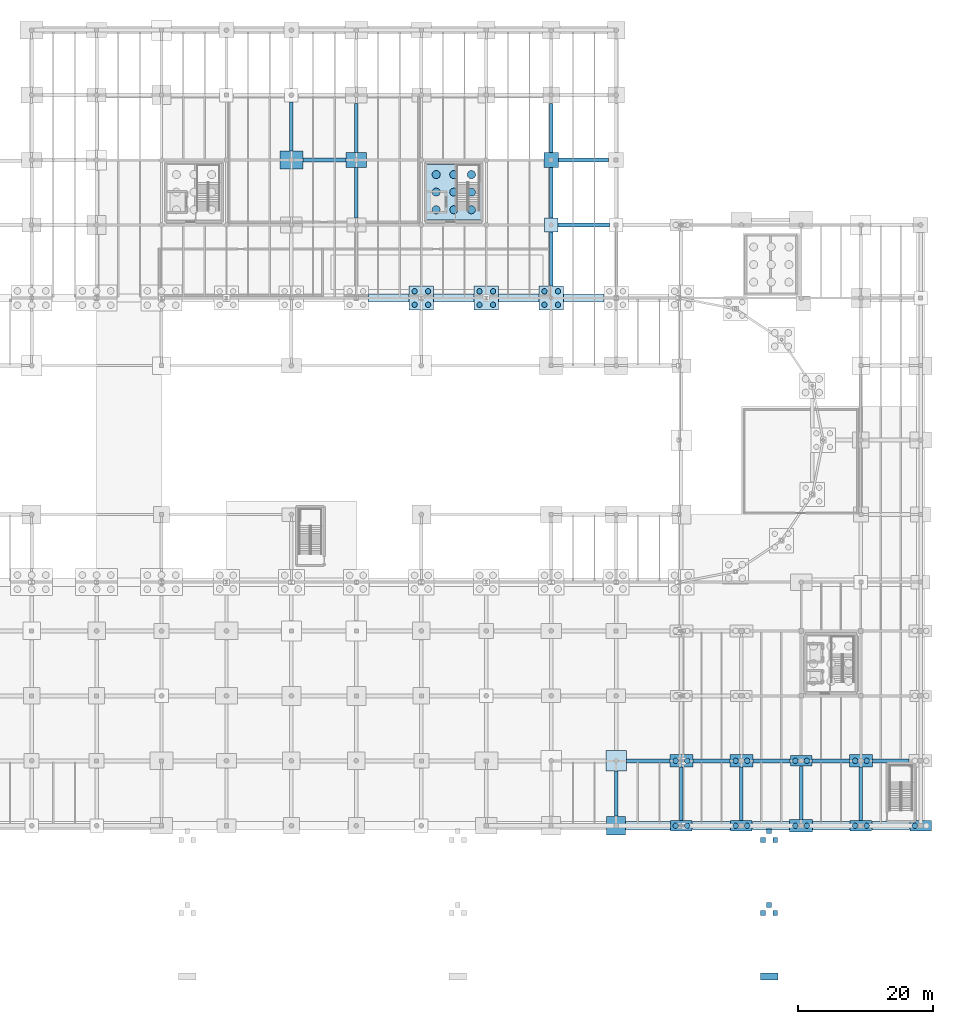
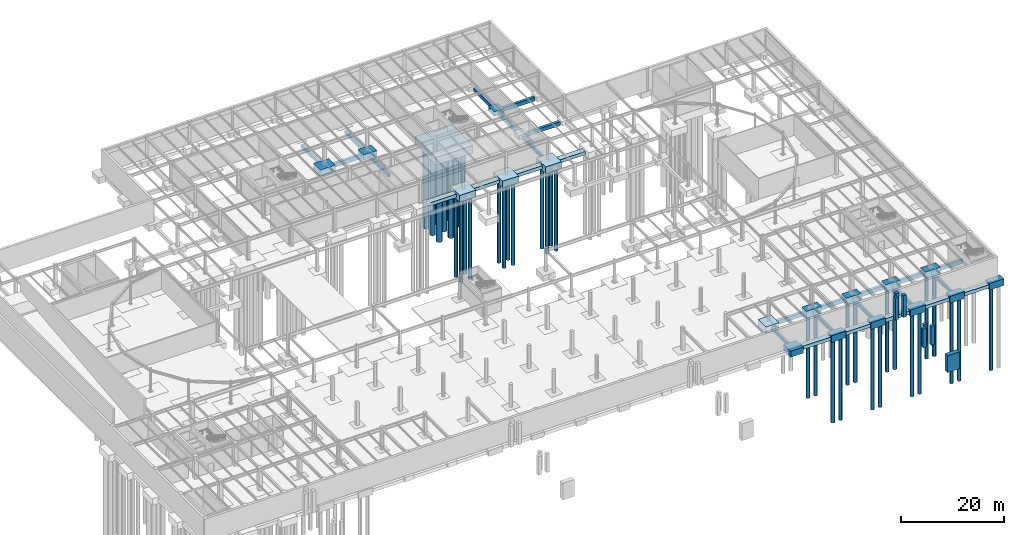
# One storey, part 7 of 50: 54 footings, 38 piles.
"""IFC4 building model written with IfcOpenShell, lengths in metres."""

from ifc_helpers import new_model, si_unit, direction, frame, origin, origin_2d, place, context, subcontext, project, spatial, polyline, rectangle, circle, outline, extrude, material, material_profile, profile_set, type_object, element, save


model = new_model("IFC4")

# Units and contexts
model_context = context("Model", 3, precision=1e-05, world=origin(), true_north=direction((0.0, 1.0)))
body_context = subcontext(model_context, "Body", "Model", "MODEL_VIEW")
ifc_project = project(units=[si_unit("LENGTHUNIT", "METRE"), si_unit("AREAUNIT", "SQUARE_METRE"), si_unit("VOLUMEUNIT", "CUBIC_METRE"), si_unit("PLANEANGLEUNIT", "RADIAN"), si_unit("MASSUNIT", "GRAM", prefix="KILO")], contexts=[model_context])

# Site, building, storey
site_placement = place(None, origin())
site = spatial("IfcSite", under=ifc_project, at=site_placement, CompositionType="ELEMENT")
building_placement = place(site_placement, origin())
building = spatial("IfcBuilding", under=site, at=building_placement, Name="Yeouljin Market Hall", CompositionType="ELEMENT")
storey_placement = place(building_placement, frame((0.0, 0.0, -5.39990234375)))
storey = spatial("IfcBuildingStorey", under=building, at=storey_placement, Name="B1", CompositionType="ELEMENT", Elevation=-5.39990234375)

# Footings
ifc_material_1 = material(Name="Concrete C35/45", Category="concrete")
ifc_material_profile_1 = material_profile(ifc_material_1, rectangle(XDim=0.5, YDim=0.800048828125, at=origin_2d()), Name="RC-500x800")
ifc_profile_set_1 = profile_set([ifc_material_profile_1], Name="Concrete C35/45")
footing_type_1 = type_object("IfcFootingType", Name="FootingBeam_500x800", PredefinedType="FOOTING_BEAM", material=ifc_profile_set_1)
footing_1_placement = place(storey_placement, frame((83.39990234375, 99.7099609375, -0.800048828125), z_axis=(0.0, 1.0, 0.0), x_axis=(-1.0, 0.0, 0.0)))
element("IfcFooting", 1, at=footing_1_placement, inside=storey, type_object=footing_type_1, Name="Foundation tie beam Y-201", PredefinedType="FOOTING_BEAM", context=body_context, shape_type="SweptSolid", body=[
    extrude(rectangle(XDim=0.5, YDim=0.800048828125, at=origin_2d()), origin(), (0.0, 0.0, 1.0), 7.280029296875),
])
footing_2_placement = place(storey_placement, frame((93.0, 89.81005859375, -0.800048828125), z_axis=(0.0, 1.0, 0.0), x_axis=(-1.0, 0.0, 0.0)))
element("IfcFooting", 2, at=footing_2_placement, inside=storey, type_object=footing_type_1, Name="Foundation tie beam Y-208", PredefinedType="FOOTING_BEAM", context=body_context, shape_type="SweptSolid", body=[
    extrude(rectangle(XDim=0.5, YDim=0.800048828125, at=origin_2d()), origin(), (0.0, 0.0, 1.0), 7.47998046875),
])
footing_3_placement = place(storey_placement, frame((93.0, 99.510009765625, -0.800048828125), z_axis=(0.0, 1.0, 0.0), x_axis=(-1.0, 0.0, 0.0)))
element("IfcFooting", 3, at=footing_3_placement, inside=storey, type_object=footing_type_1, Name="Foundation tie beam Y-209", PredefinedType="FOOTING_BEAM", context=body_context, shape_type="SweptSolid", body=[
    extrude(rectangle(XDim=0.5, YDim=0.800048828125, at=origin_2d()), origin(), (0.0, 0.0, 1.0), 7.280029296875),
])
footing_4_placement = place(storey_placement, frame((121.800048828125, 79.81005859375, -0.800048828125), z_axis=(0.0, 1.0, 0.0), x_axis=(-1.0, 0.0, 0.0)))
element("IfcFooting", 4, at=footing_4_placement, inside=storey, type_object=footing_type_1, Name="Foundation tie beam Y-229", PredefinedType="FOOTING_BEAM", context=body_context, shape_type="SweptSolid", body=[
    extrude(rectangle(XDim=0.5, YDim=0.800048828125, at=origin_2d()), origin(), (0.0, 0.0, 1.0), 7.97998046875),
])
footing_5_placement = place(storey_placement, frame((121.800048828125, 89.81005859375, -0.800048828125), z_axis=(0.0, 1.0, 0.0), x_axis=(-1.0, 0.0, 0.0)))
element("IfcFooting", 5, at=footing_5_placement, inside=storey, type_object=footing_type_1, Name="Foundation tie beam Y-230", PredefinedType="FOOTING_BEAM", context=body_context, shape_type="SweptSolid", body=[
    extrude(rectangle(XDim=0.5, YDim=0.800048828125, at=origin_2d()), origin(), (0.0, 0.0, 1.0), 7.47998046875),
])
footing_6_placement = place(storey_placement, frame((121.800048828125, 99.510009765625, -0.800048828125), z_axis=(0.0, 1.0, 0.0), x_axis=(-1.0, 0.0, 0.0)))
element("IfcFooting", 6, at=footing_6_placement, inside=storey, type_object=footing_type_1, Name="Foundation tie beam Y-231", PredefinedType="FOOTING_BEAM", context=body_context, shape_type="SweptSolid", body=[
    extrude(rectangle(XDim=0.5, YDim=0.800048828125, at=origin_2d()), origin(), (0.0, 0.0, 1.0), 7.280029296875),
])
footing_7_placement = place(storey_placement, frame((131.39990234375, 1.409912109375, -0.800048828125), z_axis=(0.0, 1.0, 0.0), x_axis=(-1.0, 0.0, 0.0)))
element("IfcFooting", 7, at=footing_7_placement, inside=storey, type_object=footing_type_1, Name="Foundation tie beam Y-233", PredefinedType="FOOTING_BEAM", context=body_context, shape_type="SweptSolid", body=[
    extrude(rectangle(XDim=0.5, YDim=0.800048828125, at=origin_2d()), origin(), (0.0, 0.0, 1.0), 6.68017578125),
])
for number, where, z_axis, x_axis, name in (
    (8, (141.0400390625, 0.81005859375, -0.800048828125), (0.0, 1.0, 0.0), (-1.0, 0.0, 0.0), "Foundation tie beam Y-243"),
    (9, (149.909912109375, 0.81005859375, -0.800048828125), (0.0, 1.0, 0.0), (-1.0, 0.0, 0.0), "Foundation tie beam Y-252"),
):
    element("IfcFooting", number, at=place(storey_placement, frame(where, z_axis=z_axis, x_axis=x_axis)), inside=storey, type_object=footing_type_1, Name=name, PredefinedType="FOOTING_BEAM", context=body_context, shape_type="SweptSolid", body=[
        extrude(rectangle(XDim=0.5, YDim=0.800048828125, at=origin_2d()), origin(), (0.0, 0.0, 1.0), 7.8798828125),
    ])
footing_8_placement = place(storey_placement, frame((158.739990234375, 0.909912109375, -0.800048828125), z_axis=(0.0, 1.0, 0.0), x_axis=(-1.0, 0.0, 0.0)))
element("IfcFooting", 10, at=footing_8_placement, inside=storey, type_object=footing_type_1, Name="Foundation tie beam Y-255", PredefinedType="FOOTING_BEAM", context=body_context, shape_type="SweptSolid", body=[
    extrude(rectangle(XDim=0.5, YDim=0.800048828125, at=origin_2d()), origin(), (0.0, 0.0, 1.0), 7.880126953125),
])
footing_9_placement = place(storey_placement, frame((167.570068359375, 0.81005859375, -0.800048828125), z_axis=(0.0, 1.0, 0.0), x_axis=(-1.0, 0.0, 0.0)))
element("IfcFooting", 11, at=footing_9_placement, inside=storey, type_object=footing_type_1, Name="Foundation tie beam Y-258", PredefinedType="FOOTING_BEAM", context=body_context, shape_type="SweptSolid", body=[
    extrude(rectangle(XDim=0.5, YDim=0.800048828125, at=origin_2d()), origin(), (0.0, 0.0, 1.0), 7.8798828125),
])
ifc_material_2 = material(Name="Concrete C35/45", Category="concrete")
ifc_material_profile_2 = material_profile(ifc_material_2, rectangle(XDim=0.60009765625, YDim=0.89990234375, at=origin_2d()), Name="RC-600x900")
ifc_profile_set_2 = profile_set([ifc_material_profile_2], Name="Concrete C35/45")
footing_type_2 = type_object("IfcFootingType", Name="FootingBeam_600x900", PredefinedType="FOOTING_BEAM", material=ifc_profile_set_2)
footing_10_placement = place(storey_placement, frame((132.909912109375, 9.60009765625, -0.85009765625), z_axis=(1.0, 0.0, 0.0), x_axis=(0.0, 1.0, 0.0)))
element("IfcFooting", 12, at=footing_10_placement, inside=storey, type_object=footing_type_2, Name="Foundation tie beam X-034", PredefinedType="FOOTING_BEAM", context=body_context, shape_type="SweptSolid", body=[
    extrude(rectangle(XDim=0.60009765625, YDim=0.89990234375, at=origin_2d()), origin(), (0.0, 0.0, 1.0), 6.420166015625),
])
footing_11_placement = place(storey_placement, frame((142.75, 9.60009765625, -0.85009765625), z_axis=(1.0, 0.0, 0.0), x_axis=(0.0, 1.0, 0.0)))
element("IfcFooting", 13, at=footing_11_placement, inside=storey, type_object=footing_type_2, Name="Foundation tie beam X-035", PredefinedType="FOOTING_BEAM", context=body_context, shape_type="SweptSolid", body=[
    extrude(rectangle(XDim=0.60009765625, YDim=0.89990234375, at=origin_2d()), origin(), (0.0, 0.0, 1.0), 5.449951171875),
])
footing_12_placement = place(storey_placement, frame((151.6201171875, 9.60009765625, -0.85009765625), z_axis=(1.0, 0.0, 0.0), x_axis=(0.0, 1.0, 0.0)))
element("IfcFooting", 14, at=footing_12_placement, inside=storey, type_object=footing_type_2, Name="Foundation tie beam X-036", PredefinedType="FOOTING_BEAM", context=body_context, shape_type="SweptSolid", body=[
    extrude(rectangle(XDim=0.60009765625, YDim=0.89990234375, at=origin_2d()), origin(), (0.0, 0.0, 1.0), 5.509765625),
])
footing_13_placement = place(storey_placement, frame((160.35009765625, 9.60009765625, -0.85009765625), z_axis=(1.0, 0.0, 0.0), x_axis=(0.0, 1.0, 0.0)))
element("IfcFooting", 15, at=footing_13_placement, inside=storey, type_object=footing_type_2, Name="Foundation tie beam X-037", PredefinedType="FOOTING_BEAM", context=body_context, shape_type="SweptSolid", body=[
    extrude(rectangle(XDim=0.60009765625, YDim=0.89990234375, at=origin_2d()), origin(), (0.0, 0.0, 1.0), 5.510009765625),
])
footing_14_placement = place(storey_placement, frame((169.280029296875, 9.60009765625, -0.85009765625), z_axis=(1.0, 0.0, 0.0), x_axis=(0.0, 1.0, 0.0)))
element("IfcFooting", 16, at=footing_14_placement, inside=storey, type_object=footing_type_2, Name="Foundation tie beam X-038", PredefinedType="FOOTING_BEAM", context=body_context, shape_type="SweptSolid", body=[
    extrude(rectangle(XDim=0.60009765625, YDim=0.89990234375, at=origin_2d()), origin(), (0.0, 0.0, 1.0), 5.409912109375),
])
footing_15_placement = place(storey_placement, frame((122.81005859375, 88.800048828125, -0.85009765625), z_axis=(1.0, 0.0, 0.0), x_axis=(0.0, 1.0, 0.0)))
element("IfcFooting", 17, at=footing_15_placement, inside=storey, type_object=footing_type_2, Name="Foundation tie beam X-109", PredefinedType="FOOTING_BEAM", context=body_context, shape_type="SweptSolid", body=[
    extrude(rectangle(XDim=0.60009765625, YDim=0.89990234375, at=origin_2d()), origin(), (0.0, 0.0, 1.0), 7.579833984375),
])
footing_16_placement = place(storey_placement, frame((85.110107421875, 98.39990234375, -0.85009765625), z_axis=(1.0, 0.0, 0.0), x_axis=(0.0, 1.0, 0.0)))
element("IfcFooting", 18, at=footing_16_placement, inside=storey, type_object=footing_type_2, Name="Foundation tie beam X-116", PredefinedType="FOOTING_BEAM", context=body_context, shape_type="SweptSolid", body=[
    extrude(rectangle(XDim=0.60009765625, YDim=0.89990234375, at=origin_2d()), origin(), (0.0, 0.0, 1.0), 6.3798828125),
])
footing_17_placement = place(storey_placement, frame((122.909912109375, 98.39990234375, -0.85009765625), z_axis=(1.0, 0.0, 0.0), x_axis=(0.0, 1.0, 0.0)))
element("IfcFooting", 19, at=footing_17_placement, inside=storey, type_object=footing_type_2, Name="Foundation tie beam X-117", PredefinedType="FOOTING_BEAM", context=body_context, shape_type="SweptSolid", body=[
    extrude(rectangle(XDim=0.60009765625, YDim=0.89990234375, at=origin_2d()), origin(), (0.0, 0.0, 1.0), 7.380126953125),
])
ifc_material_3 = material(Name="Concrete C35/45", Category="concrete")
footing_type_3 = type_object("IfcFootingType", Name="PadFooting_2000x2000x1000", PredefinedType="PAD_FOOTING", material=ifc_material_3)
footing_18_placement = place(storey_placement, frame((0.0, 0.0, -1.0)))
element("IfcFooting", 20, at=footing_18_placement, inside=storey, type_object=footing_type_3, Name="Pile cap FPAD-081", PredefinedType="PAD_FOOTING", context=body_context, shape_type="SweptSolid", body=[
    extrude(outline(polyline([(120.800048828125, 87.800048828125), (122.800048828125, 87.800048828125), (122.800048828125, 89.800048828125), (120.800048828125, 89.800048828125), (120.800048828125, 87.800048828125)])), origin(), (0.0, 0.0, 1.0), 1.0),
])
ifc_material_4 = material(Name="Concrete C35/45", Category="concrete")
footing_type_4 = type_object("IfcFootingType", Name="PadFooting_2200x2200x1100", PredefinedType="PAD_FOOTING", material=ifc_material_4)
footing_19_placement = place(storey_placement, frame((0.0, 0.0, -1.10009765625)))
element("IfcFooting", 21, at=footing_19_placement, inside=storey, type_object=footing_type_4, Name="Pile cap FPAD-082", PredefinedType="PAD_FOOTING", context=body_context, shape_type="SweptSolid", body=[
    extrude(outline(polyline([(120.699951171875, 97.300048828125), (122.89990234375, 97.300048828125), (122.89990234375, 99.5), (120.699951171875, 99.5), (120.699951171875, 97.300048828125)])), origin(), (0.0, 0.0, 1.0), 1.10009765625),
])
ifc_material_5 = material(Name="Concrete C35/45", Category="concrete")
footing_type_5 = type_object("IfcFootingType", Name="PadFooting_2800x2800x1400", PredefinedType="PAD_FOOTING", material=ifc_material_5)
footing_20_placement = place(storey_placement, frame((0.0, 0.0, -1.400146484375)))
element("IfcFooting", 22, at=footing_20_placement, inside=storey, type_object=footing_type_5, Name="Pile cap FPAD-085", PredefinedType="PAD_FOOTING", context=body_context, shape_type="SweptSolid", body=[
    extrude(outline(polyline([(130.0, -1.39990234375), (132.800048828125, -1.39990234375), (132.800048828125, 1.39990234375), (130.0, 1.39990234375), (130.0, -1.39990234375)])), origin(), (0.0, 0.0, 1.0), 1.400146484375),
])
ifc_material_6 = material(Name="Concrete C35/45", Category="concrete")
footing_type_6 = type_object("IfcFootingType", Name="PadFooting_3000x2200x1300", PredefinedType="PAD_FOOTING", material=ifc_material_6)
footing_21_placement = place(storey_placement, frame((0.0, 0.0, -1.300048828125)))
element("IfcFooting", 23, at=footing_21_placement, inside=storey, type_object=footing_type_6, Name="Pile cap FPAD-058", PredefinedType="PAD_FOOTING", context=body_context, shape_type="SweptSolid", body=[
    extrude(outline(polyline([(91.5, 97.300048828125), (94.5, 97.300048828125), (94.5, 99.5), (91.5, 99.5), (91.5, 97.300048828125)])), origin(), (0.0, 0.0, 1.0), 1.300048828125),
])
ifc_material_7 = material(Name="Concrete C35/45", Category="concrete")
footing_type_7 = type_object("IfcFootingType", Name="PadFooting_3000x3000x1500", PredefinedType="PAD_FOOTING", material=ifc_material_7)
footing_22_placement = place(storey_placement, frame((0.0, 0.0, -1.5)))
element("IfcFooting", 24, at=footing_22_placement, inside=storey, type_object=footing_type_7, Name="Pile cap FPAD-086", PredefinedType="PAD_FOOTING", context=body_context, shape_type="SweptSolid", body=[
    extrude(outline(polyline([(129.89990234375, 8.10009765625), (132.89990234375, 8.10009765625), (132.89990234375, 11.10009765625), (129.89990234375, 11.10009765625), (129.89990234375, 8.10009765625)])), origin(), (0.0, 0.0, 1.0), 1.5),
])
ifc_material_8 = material(Name="Concrete C35/45", Category="concrete")
footing_type_8 = type_object("IfcFootingType", Name="PadFooting_3400x2600x1500", PredefinedType="PAD_FOOTING", material=ifc_material_8)
footing_23_placement = place(storey_placement, frame((0.0, 0.0, -1.5)))
element("IfcFooting", 25, at=footing_23_placement, inside=storey, type_object=footing_type_8, Name="Pile cap FPAD-050", PredefinedType="PAD_FOOTING", context=body_context, shape_type="SweptSolid", body=[
    extrude(outline(polyline([(81.699951171875, 97.10009765625), (85.10009765625, 97.10009765625), (85.10009765625, 99.699951171875), (81.699951171875, 99.699951171875), (81.699951171875, 97.10009765625)])), origin(), (0.0, 0.0, 1.0), 1.5),
])
ifc_material_9 = material(Name="Concrete C35/45", Category="concrete")
footing_type_9 = type_object("IfcFootingType", Name="PierFooting_Ped_2600x1000x3960", PredefinedType="PAD_FOOTING", material=ifc_material_9)
footing_24_placement = place(storey_placement, origin())
element("IfcFooting", 26, at=footing_24_placement, inside=storey, type_object=footing_type_9, Name="Pedestrian ramp foundation pier RMP-PED-04-FBOT", PredefinedType="PAD_FOOTING", context=body_context, shape_type="SweptSolid", body=[
    extrude(outline(polyline([(152.699951171875, -22.800048828125), (155.300048828125, -22.800048828125), (155.300048828125, -21.800048828125), (152.699951171875, -21.800048828125), (152.699951171875, -22.800048828125)])), origin(), (0.0, 0.0, 1.0), 3.9599609375),
])
ifc_material_10 = material(Name="Concrete C35/45", Category="concrete")
footing_type_10 = type_object("IfcFootingType", Name="PierFooting_Ped_700x700x4430", PredefinedType="PAD_FOOTING", material=ifc_material_10)
footing_25_placement = place(storey_placement, origin())
element("IfcFooting", 27, at=footing_25_placement, inside=storey, type_object=footing_type_10, Name="Pedestrian ramp foundation pier RMP-PED-04-FMID1", PredefinedType="PAD_FOOTING", context=body_context, shape_type="SweptSolid", body=[
    extrude(outline(polyline([(152.75, -13.25), (153.449951171875, -13.25), (153.449951171875, -12.550048828125), (152.75, -12.550048828125), (152.75, -13.25)])), origin(), (0.0, 0.0, 1.0), 4.429931640625),
])
footing_26_placement = place(storey_placement, origin())
element("IfcFooting", 28, at=footing_26_placement, inside=storey, type_object=footing_type_10, Name="Pedestrian ramp foundation pier RMP-PED-04-FMID2", PredefinedType="PAD_FOOTING", context=body_context, shape_type="SweptSolid", body=[
    extrude(outline(polyline([(154.550048828125, -13.25), (155.25, -13.25), (155.25, -12.550048828125), (154.550048828125, -12.550048828125), (154.550048828125, -13.25)])), origin(), (0.0, 0.0, 1.0), 4.429931640625),
])
footing_27_placement = place(storey_placement, origin())
element("IfcFooting", 29, at=footing_27_placement, inside=storey, type_object=footing_type_10, Name="Pedestrian ramp foundation pier RMP-PED-04-FMID3", PredefinedType="PAD_FOOTING", context=body_context, shape_type="SweptSolid", body=[
    extrude(outline(polyline([(153.64990234375, -12.050048828125), (154.35009765625, -12.050048828125), (154.35009765625, -11.35009765625), (153.64990234375, -11.35009765625), (153.64990234375, -12.050048828125)])), origin(), (0.0, 0.0, 1.0), 4.429931640625),
])
ifc_material_11 = material(Name="Concrete C35/45", Category="concrete")
footing_type_11 = type_object("IfcFootingType", Name="PierFooting_Ped_700x700x5160", PredefinedType="PAD_FOOTING", material=ifc_material_11)
footing_28_placement = place(storey_placement, origin())
element("IfcFooting", 30, at=footing_28_placement, inside=storey, type_object=footing_type_11, Name="Pedestrian ramp foundation pier RMP-PED-04-FTOP1", PredefinedType="PAD_FOOTING", context=body_context, shape_type="SweptSolid", body=[
    extrude(outline(polyline([(152.75, -2.449951171875), (153.449951171875, -2.449951171875), (153.449951171875, -1.75), (152.75, -1.75), (152.75, -2.449951171875)])), origin(), (0.0, 0.0, 1.0), 5.159912109375),
])
footing_29_placement = place(storey_placement, origin())
element("IfcFooting", 31, at=footing_29_placement, inside=storey, type_object=footing_type_11, Name="Pedestrian ramp foundation pier RMP-PED-04-FTOP2", PredefinedType="PAD_FOOTING", context=body_context, shape_type="SweptSolid", body=[
    extrude(outline(polyline([(154.550048828125, -2.449951171875), (155.25, -2.449951171875), (155.25, -1.75), (154.550048828125, -1.75), (154.550048828125, -2.449951171875)])), origin(), (0.0, 0.0, 1.0), 5.159912109375),
])
footing_30_placement = place(storey_placement, origin())
element("IfcFooting", 32, at=footing_30_placement, inside=storey, type_object=footing_type_11, Name="Pedestrian ramp foundation pier RMP-PED-04-FTOP3", PredefinedType="PAD_FOOTING", context=body_context, shape_type="SweptSolid", body=[
    extrude(outline(polyline([(153.64990234375, -1.14990234375), (154.35009765625, -1.14990234375), (154.35009765625, -0.449951171875), (153.64990234375, -0.449951171875), (153.64990234375, -1.14990234375)])), origin(), (0.0, 0.0, 1.0), 5.159912109375),
])
ifc_material_12 = material(Name="Concrete C35/45", Category="concrete")
footing_type_12 = type_object("IfcFootingType", Name="PileCap_2P_3200x1600x1600", PredefinedType="PILE_CAP", material=ifc_material_12)
footing_31_placement = place(storey_placement, frame((0.0, 0.0, -1.60009765625)))
element("IfcFooting", 33, at=footing_31_placement, inside=storey, type_object=footing_type_12, Name="Pile cap FCAP-C159", PredefinedType="PILE_CAP", context=body_context, shape_type="SweptSolid", body=[
    extrude(outline(polyline([(139.43994140625, -0.800048828125), (142.639892578125, -0.800048828125), (142.639892578125, 0.800048828125), (139.43994140625, 0.800048828125), (139.43994140625, -0.800048828125)])), origin(), (0.0, 0.0, 1.0), 1.60009765625),
])
footing_32_placement = place(storey_placement, frame((0.0, 0.0, -1.60009765625)))
element("IfcFooting", 34, at=footing_32_placement, inside=storey, type_object=footing_type_12, Name="Pile cap FCAP-C171", PredefinedType="PILE_CAP", context=body_context, shape_type="SweptSolid", body=[
    extrude(outline(polyline([(148.31005859375, -0.800048828125), (151.510009765625, -0.800048828125), (151.510009765625, 0.800048828125), (148.31005859375, 0.800048828125), (148.31005859375, -0.800048828125)])), origin(), (0.0, 0.0, 1.0), 1.60009765625),
])
footing_33_placement = place(storey_placement, frame((0.0, 0.0, -1.60009765625)))
element("IfcFooting", 35, at=footing_33_placement, inside=storey, type_object=footing_type_12, Name="Pile cap FCAP-C179", PredefinedType="PILE_CAP", context=body_context, shape_type="SweptSolid", body=[
    extrude(outline(polyline([(157.139892578125, 8.800048828125), (160.340087890625, 8.800048828125), (160.340087890625, 10.39990234375), (157.139892578125, 10.39990234375), (157.139892578125, 8.800048828125)])), origin(), (0.0, 0.0, 1.0), 1.60009765625),
])
footing_34_placement = place(storey_placement, frame((0.0, 0.0, -1.60009765625)))
element("IfcFooting", 36, at=footing_34_placement, inside=storey, type_object=footing_type_12, Name="Pile cap FCAP-C188", PredefinedType="PILE_CAP", context=body_context, shape_type="SweptSolid", body=[
    extrude(outline(polyline([(165.969970703125, -0.800048828125), (169.169921875, -0.800048828125), (169.169921875, 0.800048828125), (165.969970703125, 0.800048828125), (165.969970703125, -0.800048828125)])), origin(), (0.0, 0.0, 1.0), 1.60009765625),
])
footing_35_placement = place(storey_placement, frame((0.0, 0.0, -1.60009765625)))
element("IfcFooting", 37, at=footing_35_placement, inside=storey, type_object=footing_type_12, Name="Pile cap FCAP-C198", PredefinedType="PILE_CAP", context=body_context, shape_type="SweptSolid", body=[
    extrude(outline(polyline([(174.800048828125, -0.800048828125), (178.0, -0.800048828125), (178.0, 0.800048828125), (174.800048828125, 0.800048828125), (174.800048828125, -0.800048828125)])), origin(), (0.0, 0.0, 1.0), 1.60009765625),
])
ifc_material_13 = material(Name="Concrete C35/45", Category="concrete")
footing_type_13 = type_object("IfcFootingType", Name="PileCap_2P_3400x1800x1600", PredefinedType="PILE_CAP", material=ifc_material_13)
footing_36_placement = place(storey_placement, frame((0.0, 0.0, -1.60009765625)))
element("IfcFooting", 38, at=footing_36_placement, inside=storey, type_object=footing_type_13, Name="Pile cap FCAP-C160", PredefinedType="PILE_CAP", context=body_context, shape_type="SweptSolid", body=[
    extrude(outline(polyline([(139.340087890625, 8.699951171875), (142.739990234375, 8.699951171875), (142.739990234375, 10.5), (139.340087890625, 10.5), (139.340087890625, 8.699951171875)])), origin(), (0.0, 0.0, 1.0), 1.60009765625),
])
footing_37_placement = place(storey_placement, frame((0.0, 0.0, -1.60009765625)))
element("IfcFooting", 39, at=footing_37_placement, inside=storey, type_object=footing_type_13, Name="Pile cap FCAP-C172", PredefinedType="PILE_CAP", context=body_context, shape_type="SweptSolid", body=[
    extrude(outline(polyline([(148.2099609375, 8.699951171875), (151.610107421875, 8.699951171875), (151.610107421875, 10.5), (148.2099609375, 10.5), (148.2099609375, 8.699951171875)])), origin(), (0.0, 0.0, 1.0), 1.60009765625),
])
footing_38_placement = place(storey_placement, frame((0.0, 0.0, -1.60009765625)))
element("IfcFooting", 40, at=footing_38_placement, inside=storey, type_object=footing_type_13, Name="Pile cap FCAP-C178", PredefinedType="PILE_CAP", context=body_context, shape_type="SweptSolid", body=[
    extrude(outline(polyline([(157.0400390625, -0.89990234375), (160.43994140625, -0.89990234375), (160.43994140625, 0.89990234375), (157.0400390625, 0.89990234375), (157.0400390625, -0.89990234375)])), origin(), (0.0, 0.0, 1.0), 1.60009765625),
])
footing_39_placement = place(storey_placement, frame((0.0, 0.0, -1.60009765625)))
element("IfcFooting", 41, at=footing_39_placement, inside=storey, type_object=footing_type_13, Name="Pile cap FCAP-C189", PredefinedType="PILE_CAP", context=body_context, shape_type="SweptSolid", body=[
    extrude(outline(polyline([(165.8701171875, 8.699951171875), (169.27001953125, 8.699951171875), (169.27001953125, 10.5), (165.8701171875, 10.5), (165.8701171875, 8.699951171875)])), origin(), (0.0, 0.0, 1.0), 1.60009765625),
])
ifc_material_14 = material(Name="Concrete C35/45", Category="concrete")
footing_type_14 = type_object("IfcFootingType", Name="PileCap_4P_3600x3600x1600", PredefinedType="PILE_CAP", material=ifc_material_14)
footing_40_placement = place(storey_placement, frame((0.0, 0.0, -1.60009765625)))
element("IfcFooting", 42, at=footing_40_placement, inside=storey, type_object=footing_type_14, Name="Pile cap FCAP-C120", PredefinedType="PILE_CAP", context=body_context, shape_type="SweptSolid", body=[
    extrude(outline(polyline([(100.800048828125, 76.199951171875), (104.39990234375, 76.199951171875), (104.39990234375, 79.800048828125), (100.800048828125, 79.800048828125), (100.800048828125, 76.199951171875)])), origin(), (0.0, 0.0, 1.0), 1.60009765625),
])
footing_41_placement = place(storey_placement, frame((0.0, 0.0, -1.60009765625)))
element("IfcFooting", 43, at=footing_41_placement, inside=storey, type_object=footing_type_14, Name="Pile cap FCAP-C130", PredefinedType="PILE_CAP", context=body_context, shape_type="SweptSolid", body=[
    extrude(outline(polyline([(110.39990234375, 76.199951171875), (114.0, 76.199951171875), (114.0, 79.800048828125), (110.39990234375, 79.800048828125), (110.39990234375, 76.199951171875)])), origin(), (0.0, 0.0, 1.0), 1.60009765625),
])
footing_42_placement = place(storey_placement, frame((0.0, 0.0, -1.60009765625)))
element("IfcFooting", 44, at=footing_42_placement, inside=storey, type_object=footing_type_14, Name="Pile cap FCAP-C142", PredefinedType="PILE_CAP", context=body_context, shape_type="SweptSolid", body=[
    extrude(outline(polyline([(120.0, 76.199951171875), (123.60009765625, 76.199951171875), (123.60009765625, 79.800048828125), (120.0, 79.800048828125), (120.0, 76.199951171875)])), origin(), (0.0, 0.0, 1.0), 1.60009765625),
])
ifc_material_15 = material(Name="Concrete C35/45", Category="concrete")
footing_type_15 = type_object("IfcFootingType", Name="PileCap_9P_8200x8200x1800", PredefinedType="PILE_CAP", material=ifc_material_15)
footing_43_placement = place(storey_placement, frame((0.0, 0.0, -1.800048828125)))
element("IfcFooting", 45, at=footing_43_placement, inside=storey, type_object=footing_type_15, Name="Pile cap FCAP-CORE-C6", PredefinedType="PILE_CAP", context=body_context, shape_type="SweptSolid", body=[
    extrude(outline(polyline([(103.300048828125, 89.550048828125), (111.5, 89.550048828125), (111.5, 97.75), (103.300048828125, 97.75), (103.300048828125, 89.550048828125)])), origin(), (0.0, 0.0, 1.0), 1.800048828125),
])

# Piles
ifc_material_16 = material(Name="Concrete C35/45", Category="concrete")
ifc_material_profile_3 = material_profile(ifc_material_16, circle(Radius=0.60009765625, at=origin_2d()), Name="PILE-D1200")
ifc_profile_set_3 = profile_set([ifc_material_profile_3], Name="Concrete C35/45")
pile_type_1 = type_object("IfcPileType", Name="Pile_PILE-D1200", PredefinedType="BORED", material=ifc_profile_set_3)
for number, where, z_axis, x_axis, name in (
    (46, (104.800048828125, 91.050048828125, -1.7001953125), (0.0, 0.0, -1.0), (1.0, 0.0, 0.0), "Bored pile 046"),
    (47, (104.800048828125, 93.64990234375, -1.7001953125), (0.0, 0.0, -1.0), (1.0, 0.0, 0.0), "Bored pile 047"),
    (48, (104.800048828125, 96.25, -1.7001953125), (0.0, 0.0, -1.0), (1.0, 0.0, 0.0), "Bored pile 048"),
    (49, (107.39990234375, 91.050048828125, -1.7001953125), (0.0, 0.0, -1.0), (1.0, 0.0, 0.0), "Bored pile 049"),
    (50, (107.39990234375, 93.64990234375, -1.7001953125), (0.0, 0.0, -1.0), (1.0, 0.0, 0.0), "Bored pile 050"),
    (51, (107.39990234375, 96.25, -1.7001953125), (0.0, 0.0, -1.0), (1.0, 0.0, 0.0), "Bored pile 051"),
    (52, (110.0, 91.050048828125, -1.7001953125), (0.0, 0.0, -1.0), (1.0, 0.0, 0.0), "Bored pile 052"),
    (53, (110.0, 93.64990234375, -1.7001953125), (0.0, 0.0, -1.0), (1.0, 0.0, 0.0), "Bored pile 053"),
    (54, (110.0, 96.25, -1.7001953125), (0.0, 0.0, -1.0), (1.0, 0.0, 0.0), "Bored pile 054"),
):
    element("IfcPile", number, at=place(storey_placement, frame(where, z_axis=z_axis, x_axis=x_axis)), inside=storey, type_object=pile_type_1, Name=name, PredefinedType="BORED", context=body_context, shape_type="SweptSolid", body=[
        extrude(circle(Radius=0.60009765625, at=origin_2d()), origin(), (0.0, 0.0, 1.0), 19.39990234375),
    ])
ifc_material_17 = material(Name="Concrete C35/45", Category="concrete")
ifc_material_profile_4 = material_profile(ifc_material_17, circle(Radius=0.39990234375, at=origin_2d()), Name="PILE-D800")
ifc_profile_set_4 = profile_set([ifc_material_profile_4], Name="Concrete C35/45")
pile_type_2 = type_object("IfcPileType", Name="Pile_PILE-D800", PredefinedType="BORED", material=ifc_profile_set_4)
for number, where, z_axis, x_axis, name in (
    (55, (101.60009765625, 77.0, -1.5), (0.0, 0.0, -1.0), (1.0, 0.0, 0.0), "Bored pile 239"),
    (56, (101.60009765625, 79.0, -1.5), (0.0, 0.0, -1.0), (1.0, 0.0, 0.0), "Bored pile 240"),
    (57, (103.60009765625, 77.0, -1.5), (0.0, 0.0, -1.0), (1.0, 0.0, 0.0), "Bored pile 241"),
    (58, (103.60009765625, 79.0, -1.5), (0.0, 0.0, -1.0), (1.0, 0.0, 0.0), "Bored pile 242"),
    (59, (111.199951171875, 77.0, -1.5), (0.0, 0.0, -1.0), (1.0, 0.0, 0.0), "Bored pile 247"),
    (60, (111.199951171875, 79.0, -1.5), (0.0, 0.0, -1.0), (1.0, 0.0, 0.0), "Bored pile 248"),
    (61, (113.199951171875, 77.0, -1.5), (0.0, 0.0, -1.0), (1.0, 0.0, 0.0), "Bored pile 249"),
    (62, (113.199951171875, 79.0, -1.5), (0.0, 0.0, -1.0), (1.0, 0.0, 0.0), "Bored pile 250"),
    (63, (120.800048828125, 77.0, -1.5), (0.0, 0.0, -1.0), (1.0, 0.0, 0.0), "Bored pile 255"),
    (64, (120.800048828125, 79.0, -1.5), (0.0, 0.0, -1.0), (1.0, 0.0, 0.0), "Bored pile 256"),
    (65, (122.800048828125, 77.0, -1.5), (0.0, 0.0, -1.0), (1.0, 0.0, 0.0), "Bored pile 257"),
    (66, (122.800048828125, 79.0, -1.5), (0.0, 0.0, -1.0), (1.0, 0.0, 0.0), "Bored pile 258"),
    (67, (140.18994140625, 0.0, -1.5), (0.0, 0.0, -1.0), (1.0, 0.0, 0.0), "Bored pile 267"),
    (68, (141.889892578125, 0.0, -1.5), (0.0, 0.0, -1.0), (1.0, 0.0, 0.0), "Bored pile 268"),
    (69, (140.18994140625, 9.60009765625, -1.5), (0.0, 0.0, -1.0), (1.0, 0.0, 0.0), "Bored pile 269"),
    (70, (141.889892578125, 9.60009765625, -1.5), (0.0, 0.0, -1.0), (1.0, 0.0, 0.0), "Bored pile 270"),
    (71, (149.06005859375, 0.0, -1.5), (0.0, 0.0, -1.0), (1.0, 0.0, 0.0), "Bored pile 293"),
    (72, (150.760009765625, 0.0, -1.5), (0.0, 0.0, -1.0), (1.0, 0.0, 0.0), "Bored pile 294"),
    (73, (149.06005859375, 9.60009765625, -1.5), (0.0, 0.0, -1.0), (1.0, 0.0, 0.0), "Bored pile 295"),
    (74, (150.760009765625, 9.60009765625, -1.5), (0.0, 0.0, -1.0), (1.0, 0.0, 0.0), "Bored pile 296"),
    (75, (157.889892578125, 0.0, -1.5), (0.0, 0.0, -1.0), (1.0, 0.0, 0.0), "Bored pile 309"),
    (76, (159.590087890625, 0.0, -1.5), (0.0, 0.0, -1.0), (1.0, 0.0, 0.0), "Bored pile 310"),
    (77, (157.889892578125, 9.60009765625, -1.5), (0.0, 0.0, -1.0), (1.0, 0.0, 0.0), "Bored pile 311"),
    (78, (159.590087890625, 9.60009765625, -1.5), (0.0, 0.0, -1.0), (1.0, 0.0, 0.0), "Bored pile 312"),
    (79, (166.719970703125, 0.0, -1.5), (0.0, 0.0, -1.0), (1.0, 0.0, 0.0), "Bored pile 325"),
    (80, (168.419921875, 0.0, -1.5), (0.0, 0.0, -1.0), (1.0, 0.0, 0.0), "Bored pile 326"),
    (81, (166.719970703125, 9.60009765625, -1.5), (0.0, 0.0, -1.0), (1.0, 0.0, 0.0), "Bored pile 327"),
    (82, (168.419921875, 9.60009765625, -1.5), (0.0, 0.0, -1.0), (1.0, 0.0, 0.0), "Bored pile 328"),
    (83, (175.550048828125, 0.0, -1.5), (0.0, 0.0, -1.0), (1.0, 0.0, 0.0), "Bored pile 329"),
):
    element("IfcPile", number, at=place(storey_placement, frame(where, z_axis=z_axis, x_axis=x_axis)), inside=storey, type_object=pile_type_2, Name=name, PredefinedType="BORED", context=body_context, shape_type="SweptSolid", body=[
        extrude(circle(Radius=0.39990234375, at=origin_2d()), origin(), (0.0, 0.0, 1.0), 19.60009765625),
    ])

# Footings
ifc_material_18 = material(Name="Concrete C35/45", Category="concrete")
ifc_material_profile_5 = material_profile(ifc_material_18, rectangle(XDim=1.199951171875, YDim=0.800048828125, at=origin_2d()), Name="SF-1200x800")
ifc_profile_set_5 = profile_set([ifc_material_profile_5], Name="Concrete C35/45")
footing_type_16 = type_object("IfcFootingType", Name="StripFooting_1200x800", PredefinedType="STRIP_FOOTING", material=ifc_profile_set_5)
footing_44_placement = place(storey_placement, frame((132.81005859375, 0.0, -0.800048828125), z_axis=(1.0, 0.0, 0.0), x_axis=(0.0, 1.0, 0.0)))
element("IfcFooting", 84, at=footing_44_placement, inside=storey, type_object=footing_type_16, Name="Foundation tie beam X-015", PredefinedType="STRIP_FOOTING", context=body_context, shape_type="SweptSolid", body=[
    extrude(rectangle(XDim=1.199951171875, YDim=0.800048828125, at=origin_2d()), origin(), (0.0, 0.0, 1.0), 6.619873046875),
])
footing_45_placement = place(storey_placement, frame((142.64990234375, 0.0, -0.800048828125), z_axis=(1.0, 0.0, 0.0), x_axis=(0.0, 1.0, 0.0)))
element("IfcFooting", 85, at=footing_45_placement, inside=storey, type_object=footing_type_16, Name="Foundation tie beam X-016", PredefinedType="STRIP_FOOTING", context=body_context, shape_type="SweptSolid", body=[
    extrude(rectangle(XDim=1.199951171875, YDim=0.800048828125, at=origin_2d()), origin(), (0.0, 0.0, 1.0), 5.650146484375),
])
for number, where, z_axis, x_axis, name in (
    (86, (151.52001953125, 0.0, -0.800048828125), (1.0, 0.0, 0.0), (0.0, 1.0, 0.0), "Foundation tie beam X-017"),
    (87, (160.449951171875, 0.0, -0.800048828125), (1.0, 0.0, 0.0), (0.0, 1.0, 0.0), "Foundation tie beam X-018"),
):
    element("IfcFooting", number, at=place(storey_placement, frame(where, z_axis=z_axis, x_axis=x_axis)), inside=storey, type_object=footing_type_16, Name=name, PredefinedType="STRIP_FOOTING", context=body_context, shape_type="SweptSolid", body=[
        extrude(rectangle(XDim=1.199951171875, YDim=0.800048828125, at=origin_2d()), origin(), (0.0, 0.0, 1.0), 5.510009765625),
    ])
footing_46_placement = place(storey_placement, frame((169.179931640625, 0.0, -0.800048828125), z_axis=(1.0, 0.0, 0.0), x_axis=(0.0, 1.0, 0.0)))
element("IfcFooting", 88, at=footing_46_placement, inside=storey, type_object=footing_type_16, Name="Foundation tie beam X-019", PredefinedType="STRIP_FOOTING", context=body_context, shape_type="SweptSolid", body=[
    extrude(rectangle(XDim=1.199951171875, YDim=0.800048828125, at=origin_2d()), origin(), (0.0, 0.0, 1.0), 5.610107421875),
])
for number, where, z_axis, x_axis, name in (
    (89, (94.81005859375, 78.0, -0.800048828125), (1.0, 0.0, 0.0), (0.0, 1.0, 0.0), "Foundation tie beam X-099"),
    (90, (104.409912109375, 78.0, -0.800048828125), (1.0, 0.0, 0.0), (0.0, 1.0, 0.0), "Foundation tie beam X-100"),
    (91, (114.010009765625, 78.0, -0.800048828125), (1.0, 0.0, 0.0), (0.0, 1.0, 0.0), "Foundation tie beam X-101"),
    (92, (123.610107421875, 78.0, -0.800048828125), (1.0, 0.0, 0.0), (0.0, 1.0, 0.0), "Foundation tie beam X-102"),
):
    element("IfcFooting", number, at=place(storey_placement, frame(where, z_axis=z_axis, x_axis=x_axis)), inside=storey, type_object=footing_type_16, Name=name, PredefinedType="STRIP_FOOTING", context=body_context, shape_type="SweptSolid", body=[
        extrude(rectangle(XDim=1.199951171875, YDim=0.800048828125, at=origin_2d()), origin(), (0.0, 0.0, 1.0), 5.97998046875),
    ])

save(model, "model.ifc")
